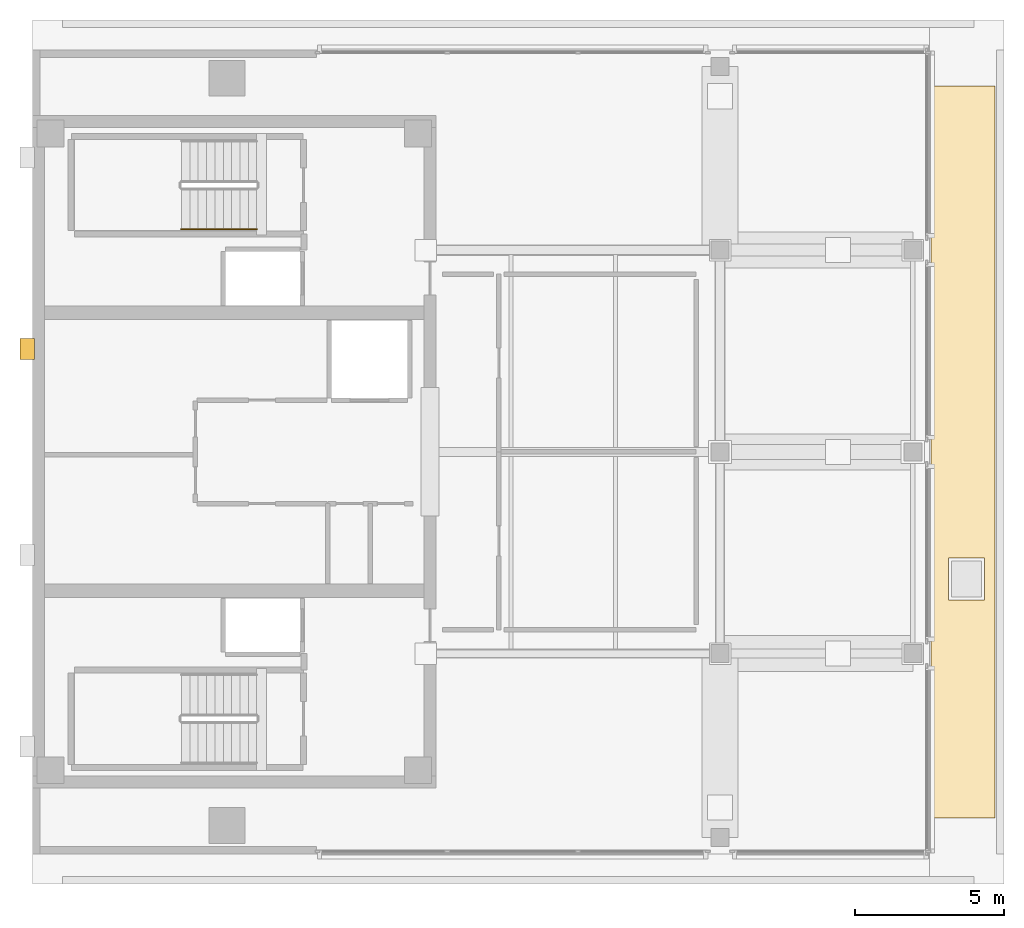
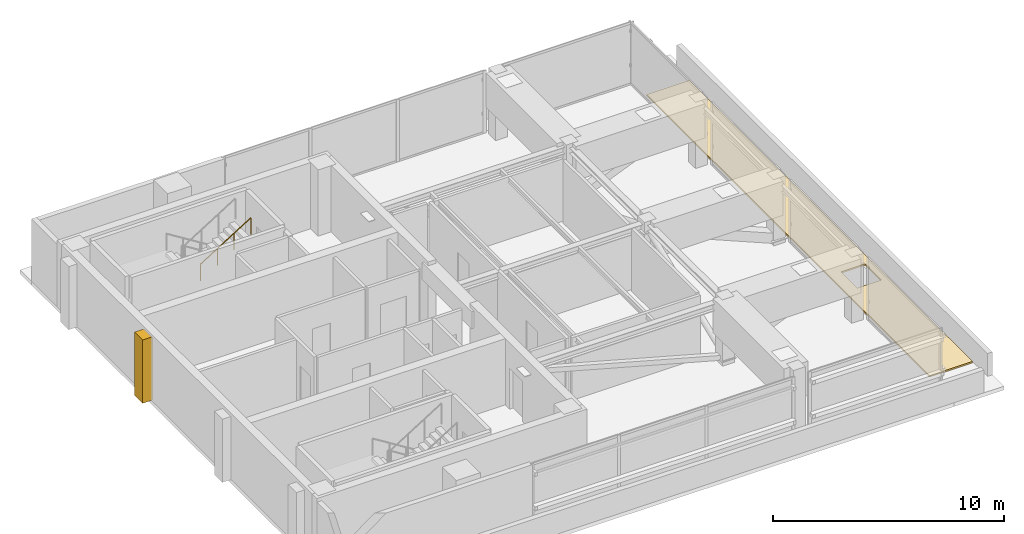
# One storey, part 8 of 9: 2 coverings, 1 railing.
"""IFC4 building model written with IfcOpenShell, lengths in metres."""

from ifc_helpers import new_model, si_unit, direction, frame, origin, origin_2d, place, context, subcontext, project, spatial, polyline, circle, outline, extrude, material, layer, layer_set, type_object, element, save


model = new_model("IFC4")

# Units and contexts
model_context = context("Model", 3, precision=1e-05, world=origin(), true_north=direction((0.0, 1.0)))
body_context = subcontext(model_context, "Body", "Model", "MODEL_VIEW")
ifc_project = project(units=[si_unit("LENGTHUNIT", "METRE"), si_unit("AREAUNIT", "SQUARE_METRE"), si_unit("VOLUMEUNIT", "CUBIC_METRE"), si_unit("PLANEANGLEUNIT", "RADIAN"), si_unit("MASSUNIT", "GRAM", prefix="KILO")], contexts=[model_context])

# Site, building, storey
site_placement = place(None, origin())
site = spatial("IfcSite", under=ifc_project, at=site_placement, CompositionType="ELEMENT")
building_placement = place(site_placement, origin())
building = spatial("IfcBuilding", under=site, at=building_placement, Name="Kinhvarn Gate Tower", CompositionType="ELEMENT")
storey_placement = place(building_placement, frame((0.0, 0.0, 314.550048828125)))
storey = spatial("IfcBuildingStorey", under=building, at=storey_placement, Name="L83", CompositionType="ELEMENT", Elevation=314.550048828125)

# Coverings
ifc_material_1 = material(Name="Precast white architectural concrete C40/50", Category="concrete")
ifc_layer_1 = layer(ifc_material_1, 0.47998046875)
ifc_layer_set_1 = layer_set([ifc_layer_1], Name="Precast white architectural concrete C40/50")
covering_type_1 = type_object("IfcCoveringType", Name="COV-RIB-450", PredefinedType="CLADDING", material=ifc_layer_set_1)
covering_1_placement = place(storey_placement, frame((0.0, 0.0, -0.02001953125)))
element("IfcCovering", 1, at=covering_1_placement, inside=storey, type_object=covering_type_1, Name="West Core Sculptural Concrete Relief Rib CRB-450 (L83)", PredefinedType="CLADDING", context=body_context, shape_type="SweptSolid", body=[
    extrude(outline(polyline([(4.080078125, 28.35009765625), (4.56005859375, 28.35009765625), (4.56005859375, 29.050048828125), (4.080078125, 29.050048828125), (4.080078125, 28.35009765625)])), origin(), (0.0, 0.0, 1.0), 3.340087890625),
])
ifc_material_2 = material(Name="Insulated EPDM waterproof roof build-up")
ifc_layer_2 = layer(ifc_material_2, 0.080078125)
ifc_layer_set_2 = layer_set([ifc_layer_2], Name="Insulated EPDM waterproof roof build-up")
covering_type_2 = type_object("IfcCoveringType", Name="COV-ROOF-80", PredefinedType="ROOFING", material=ifc_layer_set_2)
covering_2_placement = place(storey_placement, origin())
element("IfcCovering", 2, at=covering_2_placement, inside=storey, type_object=covering_type_2, Name="Crown Waterproof EPDM Roof Covering (L83)", PredefinedType="ROOFING", context=body_context, shape_type="SweptSolid", body=[
    extrude(outline(polyline([(34.550048828125, 13.0), (34.550048828125, 37.5), (36.699951171875, 37.5), (36.699951171875, 13.0), (34.550048828125, 13.0)]), holes=[polyline([(36.35009765625, 21.699951171875), (35.14990234375, 21.699951171875), (35.14990234375, 20.300048828125), (36.35009765625, 20.300048828125), (36.35009765625, 21.699951171875)])]), origin(), (0.0, 0.0, 1.0), 0.079833984375),
])

# Railing
ifc_material_3 = material(Name="Steel S355", Category="steel")
railing_type = type_object("IfcRailingType", Name="RL-ST-HND", PredefinedType="HANDRAIL", material=ifc_material_3)
railing_placement = place(storey_placement, frame((9.47998046875, 32.699951171875, 1.925048828125)))
element("IfcRailing", 3, at=railing_placement, inside=storey, type_object=railing_type, Name="L83 ST2 stair handrail 2", PredefinedType="HANDRAIL", context=body_context, shape_type="SweptSolid", body=[
    extrude(circle(Radius=0.02392578125, at=origin_2d()), frame((0.0, 0.0, 0.8759765625), z_axis=(0.848007534815, 0.0, 0.529984170421), x_axis=(0.0, 1.0, 0.0)), (0.0, 0.0, 1.0), 2.9716796875),
    extrude(circle(Radius=0.02099609375, at=origin_2d()), origin(), (0.0, 0.0, 1.0), 0.851806640625),
    extrude(circle(Radius=0.02099609375, at=origin_2d()), frame((0.840087890625, 0.0, 0.52490234375)), (0.0, 0.0, 1.0), 0.851806640625),
    extrude(circle(Radius=0.02099609375, at=origin_2d()), frame((1.679931640625, 0.0, 1.050048828125)), (0.0, 0.0, 1.0), 0.851806640625),
    extrude(circle(Radius=0.02099609375, at=origin_2d()), frame((2.52001953125, 0.0, 1.574951171875)), (0.0, 0.0, 1.0), 0.851806640625),
])

save(model, "model.ifc")
